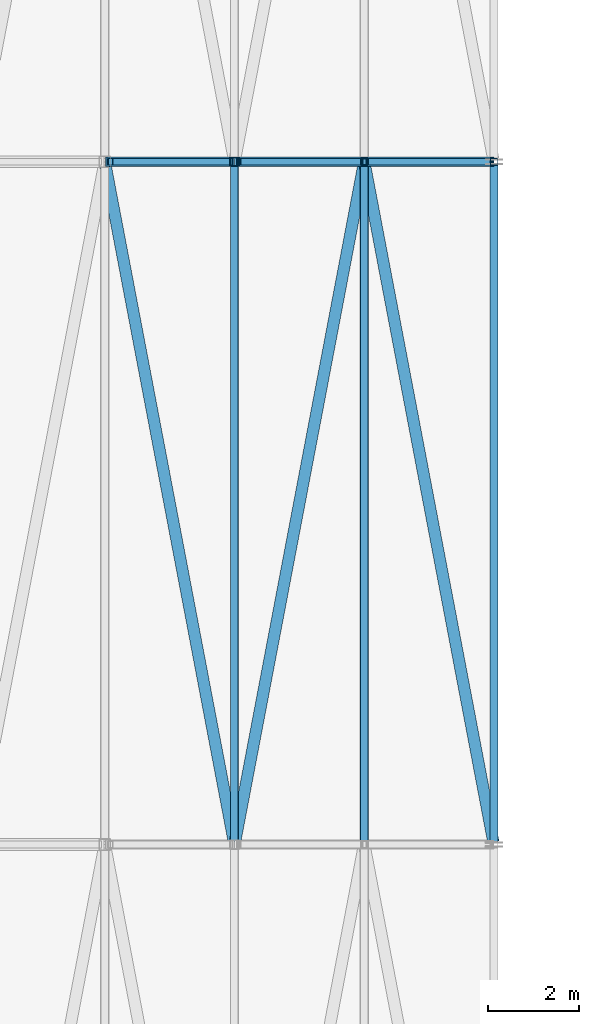
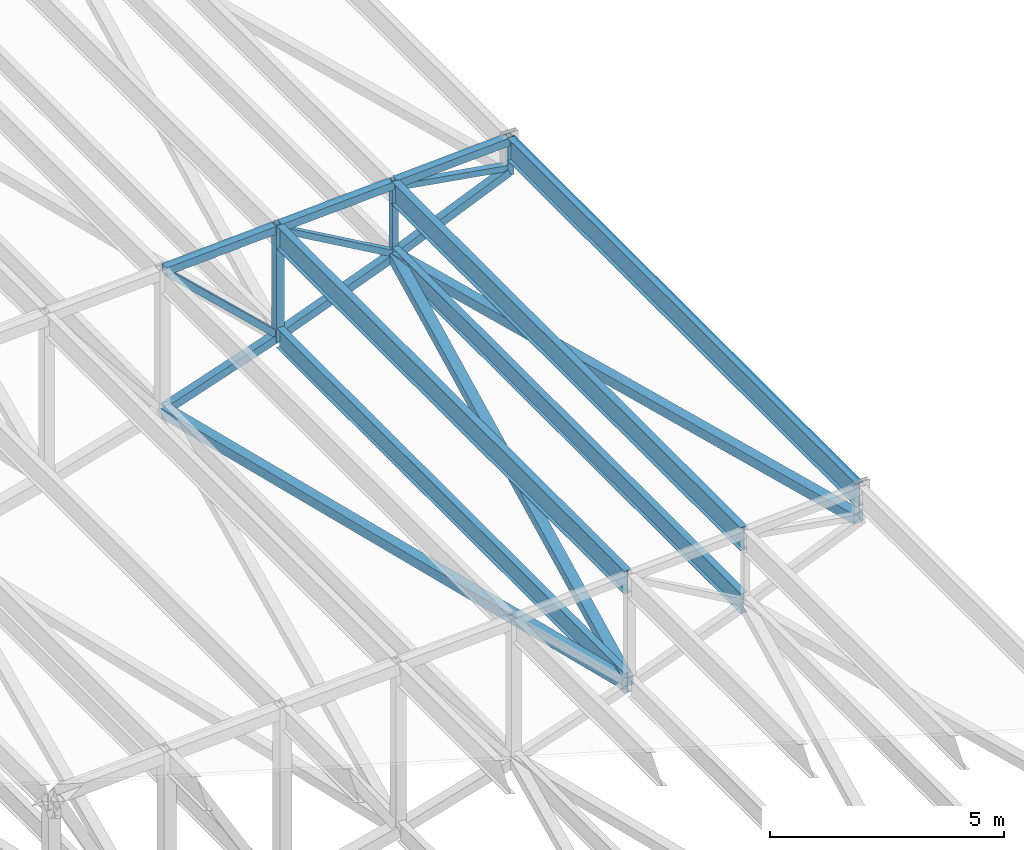
# One storey, part 41 of 278: 11 members, 9 beams.
"""IFC4 building model written with IfcOpenShell, lengths in metres."""

from ifc_helpers import new_model, si_unit, direction, frame, origin, origin_2d, place, context, subcontext, project, spatial, hollow_rectangle, i_section, extrude, material, material_profile, profile_set, type_object, element, save


model = new_model("IFC4")

# Units and contexts
model_context = context("Model", 3, precision=1e-05, world=origin(), true_north=direction((0.0, 1.0)))
body_context = subcontext(model_context, "Body", "Model", "MODEL_VIEW")
ifc_project = project(units=[si_unit("LENGTHUNIT", "METRE"), si_unit("AREAUNIT", "SQUARE_METRE"), si_unit("VOLUMEUNIT", "CUBIC_METRE"), si_unit("PLANEANGLEUNIT", "RADIAN"), si_unit("MASSUNIT", "GRAM", prefix="KILO")], contexts=[model_context])

# Site, building, storey
site_placement = place(None, origin())
site = spatial("IfcSite", under=ifc_project, at=site_placement, CompositionType="ELEMENT")
building_placement = place(site_placement, origin())
building = spatial("IfcBuilding", under=site, at=building_placement, Name="Ogive Plaza Stadium", CompositionType="ELEMENT")
storey_placement = place(building_placement, frame((0.0, 0.0, 29.0)))
storey = spatial("IfcBuildingStorey", under=building, at=storey_placement, Name="Roof", CompositionType="ELEMENT", Elevation=29.0)

# Members
ifc_material_1 = material(Name="Steel ASTM A500 Grade C", Category="steel")
ifc_material_profile_1 = material_profile(ifc_material_1, hollow_rectangle(XDim=0.25390625, YDim=0.25390625, WallThickness=0.0087890625, at=origin_2d()), Name="HSS10X10X3/8")
ifc_profile_set_1 = profile_set([ifc_material_profile_1], Name="Steel ASTM A500 Grade C")
member_type_1 = type_object("IfcMemberType", Name="Roof plan brace HSS10X10X3/8", PredefinedType="BRACE", material=ifc_profile_set_1)
member_1_placement = place(storey_placement, frame((-45.513427734375, 7.5703125, 6.520751953125), z_axis=(-0.1860644689, 0.979300227871, -0.079693645318), x_axis=(-0.982424925297, -0.186658153196, 0.0)))
element("IfcMember", 1, at=member_1_placement, inside=storey, type_object=member_type_1, Name="ROOF BRACE B25 1", PredefinedType="BRACE", context=body_context, shape_type="SweptSolid", body=[
    extrude(hollow_rectangle(XDim=0.25390625, YDim=0.25390625, WallThickness=0.0087890625, at=origin_2d()), origin(), (0.0, 0.0, 1.0), 15.173583984375),
])
member_2_placement = place(storey_placement, frame((-48.36328125, 22.4296875, 5.30078125), z_axis=(-0.18619699352, -0.979917118172, -0.071366106221), x_axis=(0.982422109195, -0.186672974385, 0.0)))
element("IfcMember", 2, at=member_2_placement, inside=storey, type_object=member_type_1, Name="ROOF BRACE B25 2", PredefinedType="BRACE", context=body_context, shape_type="SweptSolid", body=[
    extrude(hollow_rectangle(XDim=0.25390625, YDim=0.25390625, WallThickness=0.0087890625, at=origin_2d()), origin(), (0.0, 0.0, 1.0), 15.1376953125),
])
member_3_placement = place(storey_placement, frame((-51.21826171875, 7.595947265625, 4.20751953125), z_axis=(-0.186305134019, 0.980575459807, -0.061336487198), x_axis=(-0.982425223956, -0.186656581279, 0.0)))
element("IfcMember", 3, at=member_3_placement, inside=storey, type_object=member_type_1, Name="ROOF BRACE B25 3", PredefinedType="BRACE", context=body_context, shape_type="SweptSolid", body=[
    extrude(hollow_rectangle(XDim=0.25390625, YDim=0.25390625, WallThickness=0.0087890625, at=origin_2d()), origin(), (0.0, 0.0, 1.0), 15.1015625),
])
ifc_material_2 = material(Name="Steel ASTM A992 Grade 50", Category="steel")
ifc_material_profile_2 = material_profile(ifc_material_2, i_section(OverallWidth=0.1650390625, OverallDepth=0.524658203125, WebThickness=0.0087890625, FlangeThickness=0.011474609375, at=origin_2d()), Name="W21X44")
ifc_profile_set_2 = profile_set([ifc_material_profile_2], Name="Steel ASTM A992 Grade 50")
member_type_2 = type_object("IfcMemberType", Name="Roof plan strut W21X44", PredefinedType="STRUT", material=ifc_profile_set_2)
member_4_placement = place(storey_placement, frame((-48.35009765625, 7.546142578125, 5.305908203125), z_axis=(0.0, 1.0, 0.0), x_axis=(-1.0, 0.0, 0.0)))
element("IfcMember", 4, at=member_4_placement, inside=storey, type_object=member_type_2, Name="ROOF STRUT B25 1", PredefinedType="STRUT", context=body_context, shape_type="SweptSolid", body=[
    extrude(i_section(OverallWidth=0.1650390625, OverallDepth=0.524658203125, WebThickness=0.0087890625, FlangeThickness=0.011474609375, at=origin_2d()), origin(), (0.0, 0.0, 1.0), 14.90771484375),
])
member_5_placement = place(storey_placement, frame((-51.199951171875, 7.571533203125, 4.213623046875), z_axis=(0.0, 1.0, 0.0), x_axis=(-1.0, 0.0, 0.0)))
element("IfcMember", 5, at=member_5_placement, inside=storey, type_object=member_type_2, Name="ROOF STRUT B25 2", PredefinedType="STRUT", context=body_context, shape_type="SweptSolid", body=[
    extrude(i_section(OverallWidth=0.1650390625, OverallDepth=0.524658203125, WebThickness=0.0087890625, FlangeThickness=0.011474609375, at=origin_2d()), origin(), (0.0, 0.0, 1.0), 14.85693359375),
])
ifc_material_3 = material(Name="Steel ASTM A992 Grade 50", Category="steel")
ifc_material_profile_3 = material_profile(ifc_material_3, i_section(OverallWidth=0.177978515625, OverallDepth=0.5986328125, WebThickness=0.010009765625, FlangeThickness=0.012939453125, at=origin_2d()), Name="W24X55")
ifc_profile_set_3 = profile_set([ifc_material_profile_3], Name="Steel ASTM A992 Grade 50")
member_type_3 = type_object("IfcMemberType", Name="Roof purlin W24X55", PredefinedType="PURLIN", material=ifc_profile_set_3)
member_6_placement = place(storey_placement, frame((-48.35009765625, 7.546142578125, 6.983154296875), z_axis=(0.0, 1.0, 0.0), x_axis=(-1.0, 0.0, 0.0)))
element("IfcMember", 6, at=member_6_placement, inside=storey, type_object=member_type_3, Name="ROOF PURLIN B25 1", PredefinedType="PURLIN", context=body_context, shape_type="SweptSolid", body=[
    extrude(i_section(OverallWidth=0.177978515625, OverallDepth=0.5986328125, WebThickness=0.010009765625, FlangeThickness=0.012939453125, at=origin_2d()), origin(), (0.0, 0.0, 1.0), 14.90771484375),
])
member_7_placement = place(storey_placement, frame((-51.199951171875, 7.571533203125, 6.840576171875), z_axis=(0.0, 1.0, 0.0), x_axis=(-1.0, 0.0, 0.0)))
element("IfcMember", 7, at=member_7_placement, inside=storey, type_object=member_type_3, Name="ROOF PURLIN B25 2", PredefinedType="PURLIN", context=body_context, shape_type="SweptSolid", body=[
    extrude(i_section(OverallWidth=0.177978515625, OverallDepth=0.5986328125, WebThickness=0.010009765625, FlangeThickness=0.012939453125, at=origin_2d()), origin(), (0.0, 0.0, 1.0), 14.85693359375),
])
ifc_material_4 = material(Name="Steel ASTM A992 Grade 50", Category="steel")
ifc_material_profile_4 = material_profile(ifc_material_4, i_section(OverallWidth=0.177978515625, OverallDepth=0.5986328125, WebThickness=0.010009765625, FlangeThickness=0.012939453125, at=origin_2d()), Name="W24X55")
ifc_profile_set_4 = profile_set([ifc_material_profile_4], Name="Steel ASTM A992 Grade 50")
member_type_4 = type_object("IfcMemberType", Name="Roof tip ring beam W24X55", PredefinedType="MEMBER", material=ifc_profile_set_4)
member_8_placement = place(storey_placement, frame((-45.5, 7.546142578125, 7.125732421875), z_axis=(0.0, 1.0, 0.0), x_axis=(-1.0, 0.0, 0.0)))
element("IfcMember", 8, at=member_8_placement, inside=storey, type_object=member_type_4, Name="RING BEAM B25", PredefinedType="MEMBER", context=body_context, shape_type="SweptSolid", body=[
    extrude(i_section(OverallWidth=0.177978515625, OverallDepth=0.5986328125, WebThickness=0.010009765625, FlangeThickness=0.012939453125, at=origin_2d()), origin(), (0.0, 0.0, 1.0), 14.90771484375),
])

# Beams
ifc_material_5 = material(Name="Steel ASTM A500 Grade C", Category="steel")
ifc_material_profile_5 = material_profile(ifc_material_5, hollow_rectangle(XDim=0.203125, YDim=0.203125, WallThickness=0.01171875, at=origin_2d()), Name="HSS8X8X1/2")
ifc_profile_set_5 = profile_set([ifc_material_profile_5], Name="Steel ASTM A500 Grade C")
beam_type_1 = type_object("IfcBeamType", Name="Roof truss bottom chord HSS8X8X1/2", PredefinedType="BEAM", material=ifc_profile_set_5)
beam_1_placement = place(storey_placement, frame((-45.5400390625, 22.5, 6.518310546875), z_axis=(-0.919215459426, 0.0, -0.393754922702), x_axis=(0.0, -1.0, 0.0)))
element("IfcBeam", 9, at=beam_1_placement, inside=storey, type_object=beam_type_1, Name="ROOF TRUSS T26 BOTTOM CHORD 1", PredefinedType="BEAM", context=body_context, shape_type="SweptSolid", body=[
    extrude(hollow_rectangle(XDim=0.203125, YDim=0.203125, WallThickness=0.01171875, at=origin_2d()), origin(), (0.0, 0.0, 1.0), 3.04736328125),
])
beam_2_placement = place(storey_placement, frame((-48.386474609375, 22.5, 5.299072265625), z_axis=(-0.933780874892, 0.0, -0.357845326484), x_axis=(0.0, -1.0, 0.0)))
element("IfcBeam", 10, at=beam_2_placement, inside=storey, type_object=beam_type_1, Name="ROOF TRUSS T26 BOTTOM CHORD 2", PredefinedType="BEAM", context=body_context, shape_type="SweptSolid", body=[
    extrude(hollow_rectangle(XDim=0.203125, YDim=0.203125, WallThickness=0.01171875, at=origin_2d()), origin(), (0.0, 0.0, 1.0), 2.97314453125),
])
beam_3_placement = place(storey_placement, frame((-51.24072265625, 22.5, 4.20556640625), z_axis=(-0.947299736415, 0.0, -0.320348574817), x_axis=(0.0, -1.0, 0.0)))
element("IfcBeam", 11, at=beam_3_placement, inside=storey, type_object=beam_type_1, Name="ROOF TRUSS T26 BOTTOM CHORD 3", PredefinedType="BEAM", context=body_context, shape_type="SweptSolid", body=[
    extrude(hollow_rectangle(XDim=0.203125, YDim=0.203125, WallThickness=0.01171875, at=origin_2d()), origin(), (0.0, 0.0, 1.0), 2.912841796875),
])

# Members
ifc_material_6 = material(Name="Steel ASTM A500 Grade C", Category="steel")
ifc_material_profile_6 = material_profile(ifc_material_6, hollow_rectangle(XDim=0.15234375, YDim=0.15234375, WallThickness=0.005859375, at=origin_2d()), Name="HSS6X6X1/4")
ifc_profile_set_6 = profile_set([ifc_material_profile_6], Name="Steel ASTM A500 Grade C")
member_type_5 = type_object("IfcMemberType", Name="Roof truss diagonal HSS6X6X1/4", PredefinedType="BRACE", material=ifc_profile_set_6)
member_9_placement = place(storey_placement, frame((-45.576171875, 22.5, 6.628173828125), z_axis=(-0.986299671123, 0.0, 0.164963507307), x_axis=(0.0, -1.0, 0.0)))
element("IfcMember", 12, at=member_9_placement, inside=storey, type_object=member_type_5, Name="ROOF TRUSS T26 DIAGONAL 1", PredefinedType="BRACE", context=body_context, shape_type="SweptSolid", body=[
    extrude(hollow_rectangle(XDim=0.15234375, YDim=0.15234375, WallThickness=0.005859375, at=origin_2d()), origin(), (0.0, 0.0, 1.0), 2.73486328125),
])
member_10_placement = place(storey_placement, frame((-48.42626953125, 22.5, 5.407470703125), z_axis=(-0.8679111184, 0.0, 0.496719529069), x_axis=(0.0, -1.0, 0.0)))
element("IfcMember", 13, at=member_10_placement, inside=storey, type_object=member_type_5, Name="ROOF TRUSS T26 DIAGONAL 2", PredefinedType="BRACE", context=body_context, shape_type="SweptSolid", body=[
    extrude(hollow_rectangle(XDim=0.15234375, YDim=0.15234375, WallThickness=0.005859375, at=origin_2d()), origin(), (0.0, 0.0, 1.0), 3.078857421875),
])
ifc_material_7 = material(Name="Steel ASTM A500 Grade C", Category="steel")
ifc_material_profile_7 = material_profile(ifc_material_7, hollow_rectangle(XDim=0.15234375, YDim=0.15234375, WallThickness=0.0087890625, at=origin_2d()), Name="HSS6X6X3/8")
ifc_profile_set_7 = profile_set([ifc_material_profile_7], Name="Steel ASTM A500 Grade C")
member_type_6 = type_object("IfcMemberType", Name="Roof truss diagonal HSS6X6X3/8", PredefinedType="BRACE", material=ifc_profile_set_7)
member_11_placement = place(storey_placement, frame((-51.301513671875, 22.5, 4.315185546875), z_axis=(-0.726588919749, 0.0, 0.687072442832), x_axis=(0.0, -1.0, 0.0)))
element("IfcMember", 14, at=member_11_placement, inside=storey, type_object=member_type_6, Name="ROOF TRUSS T26 DIAGONAL 3", PredefinedType="BRACE", context=body_context, shape_type="SweptSolid", body=[
    extrude(hollow_rectangle(XDim=0.15234375, YDim=0.15234375, WallThickness=0.0087890625, at=origin_2d()), origin(), (0.0, 0.0, 1.0), 3.608154296875),
])

# Beams
ifc_material_8 = material(Name="Steel ASTM A500 Grade C", Category="steel")
ifc_material_profile_8 = material_profile(ifc_material_8, hollow_rectangle(XDim=0.15234375, YDim=0.15234375, WallThickness=0.0087890625, at=origin_2d()), Name="HSS6X6X3/8")
ifc_profile_set_8 = profile_set([ifc_material_profile_8], Name="Steel ASTM A500 Grade C")
beam_type_2 = type_object("IfcBeamType", Name="Roof truss post HSS6X6X3/8", PredefinedType="BEAM", material=ifc_profile_set_8)
beam_4_placement = place(storey_placement, frame((-45.5, 22.5, 6.425048828125), z_axis=(0.0, 0.0, 1.0), x_axis=(0.0, -1.0, 0.0)))
element("IfcBeam", 15, at=beam_4_placement, inside=storey, type_object=beam_type_2, Name="ROOF TRUSS T26 POST 1", PredefinedType="BEAM", context=body_context, shape_type="SweptSolid", body=[
    extrude(hollow_rectangle(XDim=0.15234375, YDim=0.15234375, WallThickness=0.0087890625, at=origin_2d()), origin(), (0.0, 0.0, 1.0), 1.0),
])
beam_5_placement = place(storey_placement, frame((-48.35009765625, 22.5, 5.204345703125), z_axis=(0.0, 0.0, 1.0), x_axis=(0.0, -1.0, 0.0)))
element("IfcBeam", 16, at=beam_5_placement, inside=storey, type_object=beam_type_2, Name="ROOF TRUSS T26 POST 2", PredefinedType="BEAM", context=body_context, shape_type="SweptSolid", body=[
    extrude(hollow_rectangle(XDim=0.15234375, YDim=0.15234375, WallThickness=0.0087890625, at=origin_2d()), origin(), (0.0, 0.0, 1.0), 2.078125),
])
ifc_material_9 = material(Name="Steel ASTM A500 Grade C", Category="steel")
ifc_material_profile_9 = material_profile(ifc_material_9, hollow_rectangle(XDim=0.203125, YDim=0.203125, WallThickness=0.0087890625, at=origin_2d()), Name="HSS8X8X3/8")
ifc_profile_set_9 = profile_set([ifc_material_profile_9], Name="Steel ASTM A500 Grade C")
beam_type_3 = type_object("IfcBeamType", Name="Roof truss post HSS8X8X3/8", PredefinedType="BEAM", material=ifc_profile_set_9)
beam_6_placement = place(storey_placement, frame((-51.199951171875, 22.5, 4.112060546875), z_axis=(0.0, 0.0, 1.0), x_axis=(0.0, -1.0, 0.0)))
element("IfcBeam", 17, at=beam_6_placement, inside=storey, type_object=beam_type_3, Name="ROOF TRUSS T26 POST 3", PredefinedType="BEAM", context=body_context, shape_type="SweptSolid", body=[
    extrude(hollow_rectangle(XDim=0.203125, YDim=0.203125, WallThickness=0.0087890625, at=origin_2d()), origin(), (0.0, 0.0, 1.0), 3.02783203125),
])
ifc_material_10 = material(Name="Steel ASTM A500 Grade C", Category="steel")
ifc_material_profile_10 = material_profile(ifc_material_10, hollow_rectangle(XDim=0.203125, YDim=0.203125, WallThickness=0.0087890625, at=origin_2d()), Name="HSS8X8X3/8")
ifc_profile_set_10 = profile_set([ifc_material_profile_10], Name="Steel ASTM A500 Grade C")
beam_type_4 = type_object("IfcBeamType", Name="Roof truss top chord HSS8X8X3/8", PredefinedType="BEAM", material=ifc_profile_set_10)
beam_7_placement = place(storey_placement, frame((-45.541259765625, 22.5, 7.3212890625), z_axis=(-0.998751459876, 0.0, -0.049955193873), x_axis=(0.0, -1.0, 0.0)))
element("IfcBeam", 18, at=beam_7_placement, inside=storey, type_object=beam_type_4, Name="ROOF TRUSS T26 TOP CHORD 1", PredefinedType="BEAM", context=body_context, shape_type="SweptSolid", body=[
    extrude(hollow_rectangle(XDim=0.203125, YDim=0.203125, WallThickness=0.0087890625, at=origin_2d()), origin(), (0.0, 0.0, 1.0), 2.77099609375),
])
beam_8_placement = place(storey_placement, frame((-48.39111328125, 22.5, 7.1787109375), z_axis=(-0.998752338878, 0.0, -0.049937616944), x_axis=(0.0, -1.0, 0.0)))
element("IfcBeam", 19, at=beam_8_placement, inside=storey, type_object=beam_type_4, Name="ROOF TRUSS T26 TOP CHORD 2", PredefinedType="BEAM", context=body_context, shape_type="SweptSolid", body=[
    extrude(hollow_rectangle(XDim=0.203125, YDim=0.203125, WallThickness=0.0087890625, at=origin_2d()), origin(), (0.0, 0.0, 1.0), 2.76220703125),
])
beam_9_placement = place(storey_placement, frame((-51.25, 22.5, 7.035888671875), z_axis=(-0.998748798523, 0.0, -0.05000837379), x_axis=(0.0, -1.0, 0.0)))
element("IfcBeam", 20, at=beam_9_placement, inside=storey, type_object=beam_type_4, Name="ROOF TRUSS T26 TOP CHORD 3", PredefinedType="BEAM", context=body_context, shape_type="SweptSolid", body=[
    extrude(hollow_rectangle(XDim=0.203125, YDim=0.203125, WallThickness=0.0087890625, at=origin_2d()), origin(), (0.0, 0.0, 1.0), 2.75341796875),
])

save(model, "model.ifc")
